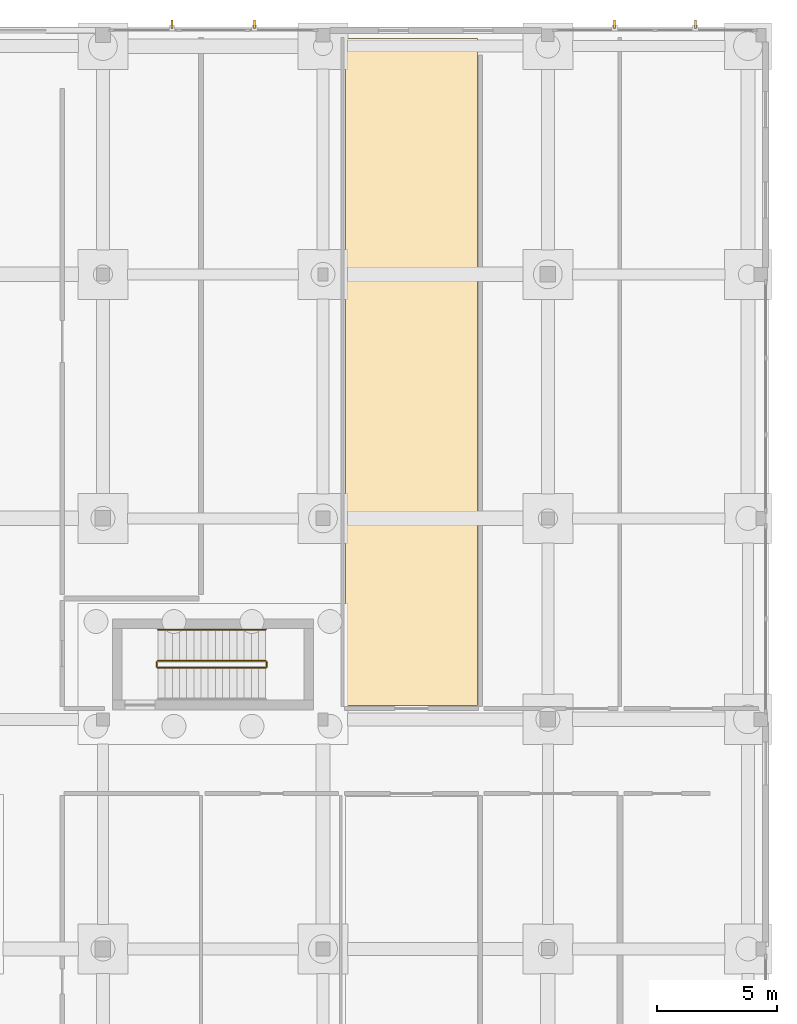
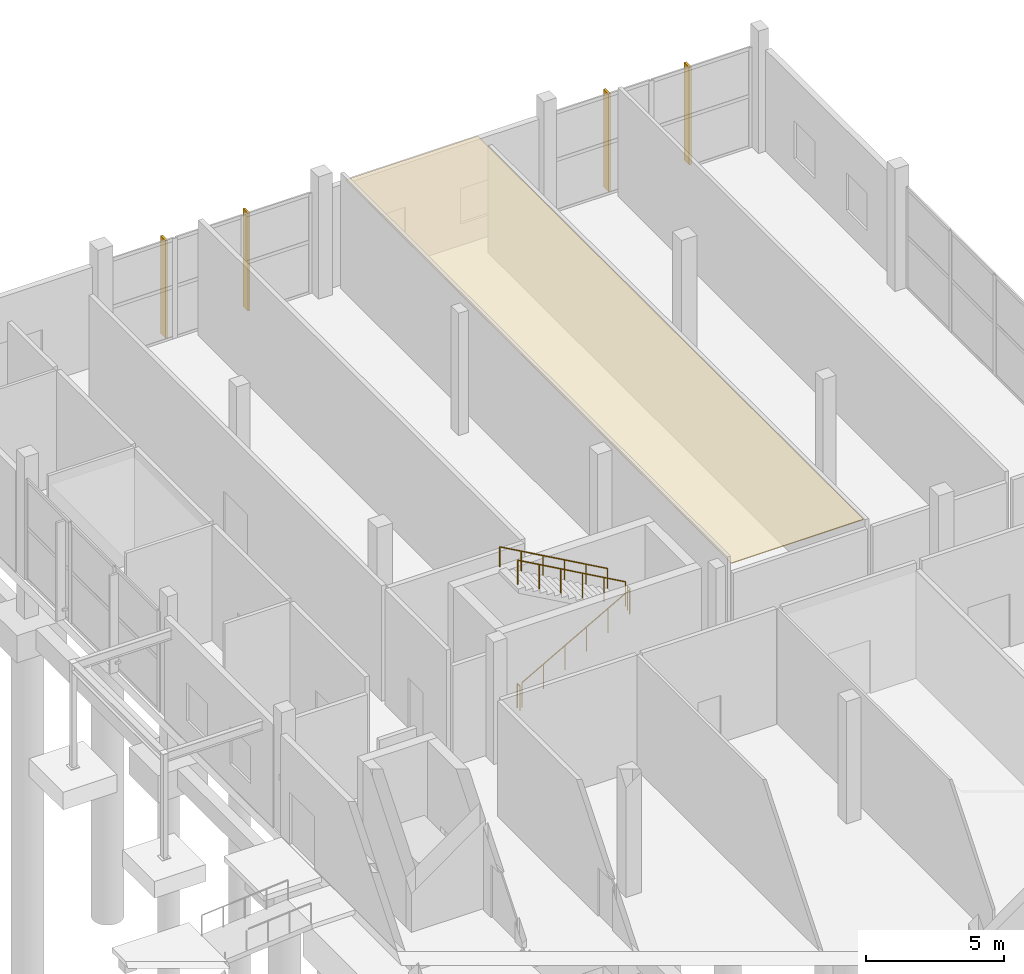
# One storey, part 87 of 88: 5 railings, 4 shading devices, 1 covering.
"""IFC4 building model written with IfcOpenShell, lengths in metres."""

from ifc_helpers import new_model, si_unit, direction, frame, origin, origin_2d, place, context, subcontext, project, spatial, polyline, rectangle, circle, outline, extrude, material, layer, layer_set, type_object, element, save


model = new_model("IFC4")

# Units and contexts
model_context = context("Model", 3, precision=1e-05, world=origin(), true_north=direction((0.0, 1.0)))
body_context = subcontext(model_context, "Body", "Model", "MODEL_VIEW")
ifc_project = project(units=[si_unit("LENGTHUNIT", "METRE"), si_unit("AREAUNIT", "SQUARE_METRE"), si_unit("VOLUMEUNIT", "CUBIC_METRE"), si_unit("PLANEANGLEUNIT", "RADIAN"), si_unit("MASSUNIT", "GRAM", prefix="KILO")], contexts=[model_context])

# Site, building, storey
site_placement = place(None, origin())
site = spatial("IfcSite", under=ifc_project, at=site_placement, CompositionType="ELEMENT")
building_placement = place(site_placement, origin())
building = spatial("IfcBuilding", under=site, at=building_placement, Name="Birchvale Park Specialist Clinic", CompositionType="ELEMENT")
storey_placement = place(building_placement, origin())
storey = spatial("IfcBuildingStorey", under=building, at=storey_placement, Name="L00", CompositionType="ELEMENT", Elevation=0.0)

# Covering
ifc_material_1 = material(Name="Acoustic mineral-fibre wood-wool ceiling", Category="wood")
ifc_layer = layer(ifc_material_1, 0.034912109375)
ifc_layer_set = layer_set([ifc_layer], Name="Acoustic mineral-fibre wood-wool ceiling")
covering_type = type_object("IfcCoveringType", Name="COV-CE1", PredefinedType="CEILING", material=ifc_layer_set)
covering_placement = place(storey_placement, frame((0.0, 0.0, 4.715087890625)))
element("IfcCovering", 1, at=covering_placement, inside=storey, type_object=covering_type, Name="V6 L00 acoustic clinical ceiling 4", PredefinedType="CEILING", context=body_context, shape_type="SweptSolid", body=[
    extrude(outline(polyline([(147.3359375, 83.3701171875), (152.85400390625, 83.3701171875), (152.85400390625, 111.27001953125), (147.3359375, 111.27001953125), (147.3359375, 83.3701171875)])), origin(), (0.0, 0.0, 1.0), 0.034912109375),
])

# Railings
ifc_material_2 = material(Name="Brushed stainless steel guard railing", Category="steel")
railing_type_1 = type_object("IfcRailingType", Name="RL-GRD1", PredefinedType="GUARDRAIL", material=ifc_material_2)
railing_1_placement = place(storey_placement, frame((139.5, 84.949951171875, 0.168701171875)))
element("IfcRailing", 2, at=railing_1_placement, inside=storey, type_object=railing_type_1, Name="L00 ST3 stair guard 1", PredefinedType="GUARDRAIL", context=body_context, shape_type="SweptSolid", body=[
    extrude(circle(Radius=0.02392578125, at=origin_2d()), frame((0.0, 0.0, 1.076171875), z_axis=(0.871575537125, 0.0, 0.490261239633), x_axis=(0.0, 1.0, 0.0)), (0.0, 0.0, 1.0), 5.1630859375),
    extrude(circle(Radius=0.02099609375, at=origin_2d()), origin(), (0.0, 0.0, 1.0), 1.052001953125),
    extrude(circle(Radius=0.02099609375, at=origin_2d()), frame((0.89990234375, 0.0, 0.50634765625)), (0.0, 0.0, 1.0), 1.052001953125),
    extrude(circle(Radius=0.02099609375, at=origin_2d()), frame((1.800048828125, 0.0, 1.012451171875)), (0.0, 0.0, 1.0), 1.052001953125),
    extrude(circle(Radius=0.02099609375, at=origin_2d()), frame((2.699951171875, 0.0, 1.518798828125)), (0.0, 0.0, 1.0), 1.052001953125),
    extrude(circle(Radius=0.02099609375, at=origin_2d()), frame((3.60009765625, 0.0, 2.02490234375)), (0.0, 0.0, 1.0), 1.052001953125),
    extrude(circle(Radius=0.02099609375, at=origin_2d()), frame((4.5, 0.0, 2.53125)), (0.0, 0.0, 1.0), 1.052001953125),
])
railing_2_placement = place(storey_placement, frame((144.050048828125, 85.0, 2.699951171875)))
element("IfcRailing", 3, at=railing_2_placement, inside=storey, type_object=railing_type_1, Name="L00 ST3 stair guard 2", PredefinedType="GUARDRAIL", context=body_context, shape_type="SweptSolid", body=[
    extrude(circle(Radius=0.02392578125, at=origin_2d()), frame((0.0, 0.0, 1.076171875), z_axis=(0.0, 1.0, 0.0), x_axis=(-1.0, 0.0, 0.0)), (0.0, 0.0, 1.0), 0.199951171875),
    extrude(circle(Radius=0.02099609375, at=origin_2d()), origin(), (0.0, 0.0, 1.0), 1.052001953125),
    extrude(circle(Radius=0.02099609375, at=origin_2d()), frame((0.0, 0.199951171875, 0.0)), (0.0, 0.0, 1.0), 1.052001953125),
])
railing_3_placement = place(storey_placement, frame((144.0, 85.25, 2.86865234375)))
element("IfcRailing", 4, at=railing_3_placement, inside=storey, type_object=railing_type_1, Name="L00 ST3 stair guard 3", PredefinedType="GUARDRAIL", context=body_context, shape_type="SweptSolid", body=[
    extrude(circle(Radius=0.02392578125, at=origin_2d()), frame((0.0, 0.0, 1.076171875), z_axis=(-0.871575537125, 0.0, 0.490261239633), x_axis=(0.0, -1.0, 0.0)), (0.0, 0.0, 1.0), 5.1630859375),
    extrude(circle(Radius=0.02099609375, at=origin_2d()), origin(), (0.0, 0.0, 1.0), 1.052001953125),
    extrude(circle(Radius=0.02099609375, at=origin_2d()), frame((-0.89990234375, 0.0, 0.50634765625)), (0.0, 0.0, 1.0), 1.052001953125),
    extrude(circle(Radius=0.02099609375, at=origin_2d()), frame((-1.800048828125, 0.0, 1.012451171875)), (0.0, 0.0, 1.0), 1.052001953125),
    extrude(circle(Radius=0.02099609375, at=origin_2d()), frame((-2.699951171875, 0.0, 1.518798828125)), (0.0, 0.0, 1.0), 1.052001953125),
    extrude(circle(Radius=0.02099609375, at=origin_2d()), frame((-3.60009765625, 0.0, 2.02490234375)), (0.0, 0.0, 1.0), 1.052001953125),
    extrude(circle(Radius=0.02099609375, at=origin_2d()), frame((-4.5, 0.0, 2.53125)), (0.0, 0.0, 1.0), 1.052001953125),
])
railing_4_placement = place(storey_placement, frame((139.449951171875, 85.0, 0.0)))
element("IfcRailing", 5, at=railing_4_placement, inside=storey, type_object=railing_type_1, Name="L00 ST3 stair guard 4", PredefinedType="GUARDRAIL", context=body_context, shape_type="SweptSolid", body=[
    extrude(circle(Radius=0.02392578125, at=origin_2d()), frame((0.0, 0.0, 1.076171875), z_axis=(0.0, 1.0, 0.0), x_axis=(-1.0, 0.0, 0.0)), (0.0, 0.0, 1.0), 0.199951171875),
    extrude(circle(Radius=0.02099609375, at=origin_2d()), origin(), (0.0, 0.0, 1.0), 1.052001953125),
    extrude(circle(Radius=0.02099609375, at=origin_2d()), frame((0.0, 0.199951171875, 0.0)), (0.0, 0.0, 1.0), 1.052001953125),
])
ifc_material_3 = material(Name="Anodised aluminium handrail", Category="aluminium")
railing_type_2 = type_object("IfcRailingType", Name="RL-HND1", PredefinedType="HANDRAIL", material=ifc_material_3)
railing_5_placement = place(storey_placement, frame((144.0, 86.550048828125, 2.86865234375)))
element("IfcRailing", 6, at=railing_5_placement, inside=storey, type_object=railing_type_2, Name="L00 ST3 stair handrail 2", PredefinedType="HANDRAIL", context=body_context, shape_type="SweptSolid", body=[
    extrude(circle(Radius=0.02392578125, at=origin_2d()), frame((0.0, 0.0, 0.8759765625), z_axis=(-0.871575537125, 0.0, 0.490261239633), x_axis=(0.0, -1.0, 0.0)), (0.0, 0.0, 1.0), 5.1630859375),
    extrude(circle(Radius=0.02099609375, at=origin_2d()), origin(), (0.0, 0.0, 1.0), 0.851806640625),
    extrude(circle(Radius=0.02099609375, at=origin_2d()), frame((-0.89990234375, 0.0, 0.50634765625)), (0.0, 0.0, 1.0), 0.851806640625),
    extrude(circle(Radius=0.02099609375, at=origin_2d()), frame((-1.800048828125, 0.0, 1.012451171875)), (0.0, 0.0, 1.0), 0.851806640625),
    extrude(circle(Radius=0.02099609375, at=origin_2d()), frame((-2.699951171875, 0.0, 1.518798828125)), (0.0, 0.0, 1.0), 0.851806640625),
    extrude(circle(Radius=0.02099609375, at=origin_2d()), frame((-3.60009765625, 0.0, 2.02490234375)), (0.0, 0.0, 1.0), 0.851806640625),
    extrude(circle(Radius=0.02099609375, at=origin_2d()), frame((-4.5, 0.0, 2.53125)), (0.0, 0.0, 1.0), 0.851806640625),
])

# Shading devices
ifc_material_4 = material(Name="Glulam GL28h", Category="wood")
shading_device_type = type_object("IfcShadingDeviceType", Name="SHD-FIN1", PredefinedType="USERDEFINED", material=ifc_material_4)
for number, where, z_axis, x_axis, name in (
    (7, (161.964599609375, 111.85498046875, 0.0498046875), (0.0, 0.0, 1.0), (0.0, 1.0, 0.0), "V6 L00 glulam solar fin 12"),
    (8, (158.590576171875, 111.85498046875, 0.0498046875), (0.0, 0.0, 1.0), (0.0, 1.0, 0.0), "V6 L00 glulam solar fin 13"),
    (9, (143.533447265625, 111.85498046875, 0.0498046875), (0.0, 0.0, 1.0), (0.0, 1.0, 0.0), "V6 L00 glulam solar fin 14"),
    (10, (140.091552734375, 111.85498046875, 0.0498046875), (0.0, 0.0, 1.0), (0.0, 1.0, 0.0), "V6 L00 glulam solar fin 15"),
):
    element("IfcShadingDevice", number, at=place(storey_placement, frame(where, z_axis=z_axis, x_axis=x_axis)), inside=storey, type_object=shading_device_type, Name=name, ObjectType="FIN", PredefinedType="USERDEFINED", context=body_context, shape_type="SweptSolid", body=[
        extrude(rectangle(XDim=0.360107421875, YDim=0.090087890625, at=origin_2d()), origin(), (0.0, 0.0, 1.0), 4.320068359375),
    ])

save(model, "model.ifc")
